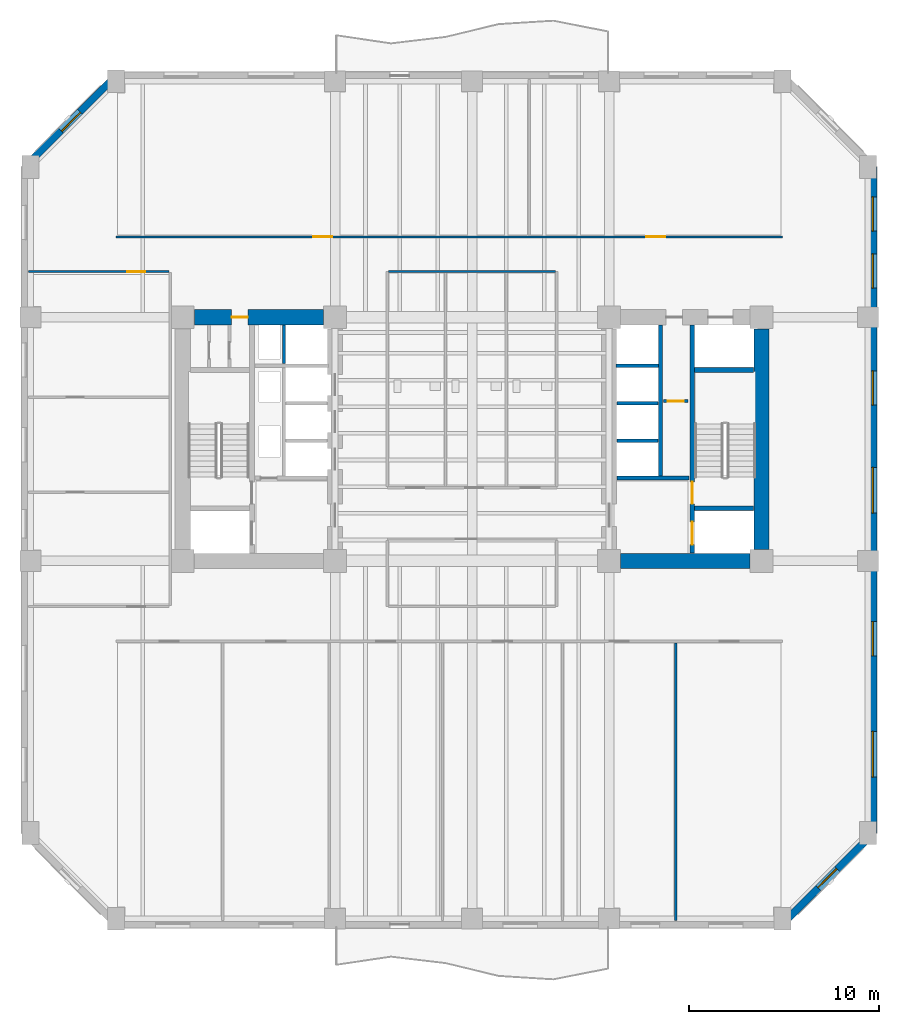
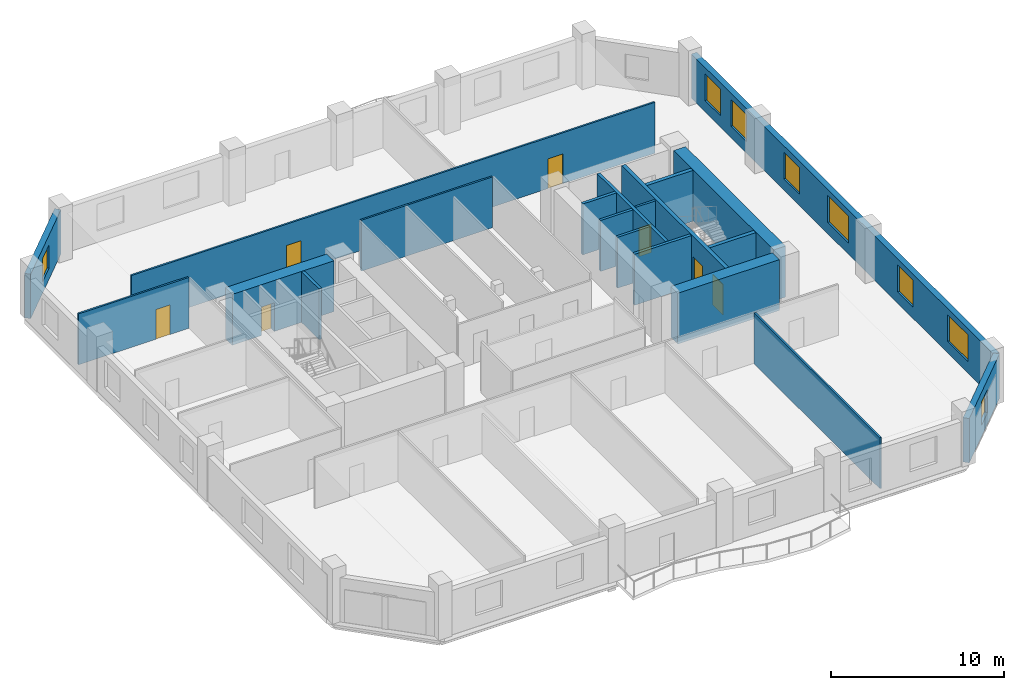
# One storey, part 4 of 10: 20 walls, 8 windows, 7 doors, 15 openings.
"""IFC4 building model written with IfcOpenShell, lengths in metres."""

from ifc_helpers import new_model, si_unit, direction, frame, frame_2d, origin, place, context, subcontext, project, spatial, rectangle, extrude, material, layer, layer_set, type_object, element, fill, save


model = new_model("IFC4")

# Units and contexts
model_context = context("Model", 3, precision=1e-05, world=origin(), true_north=direction((0.0, 1.0)))
body_context = subcontext(model_context, "Body", "Model", "MODEL_VIEW")
ifc_project = project(units=[si_unit("LENGTHUNIT", "METRE"), si_unit("AREAUNIT", "SQUARE_METRE"), si_unit("VOLUMEUNIT", "CUBIC_METRE"), si_unit("PLANEANGLEUNIT", "RADIAN"), si_unit("MASSUNIT", "GRAM", prefix="KILO")], contexts=[model_context])

# Site, building, storey
site_placement = place(None, origin())
site = spatial("IfcSite", under=ifc_project, at=site_placement, CompositionType="ELEMENT")
building_placement = place(site_placement, origin())
building = spatial("IfcBuilding", under=site, at=building_placement, Name="Kranthara Brick Stack", CompositionType="ELEMENT")
storey_placement = place(building_placement, frame((0.0, 0.0, 39.89990234375)))
storey = spatial("IfcBuildingStorey", under=building, at=storey_placement, Name="L09", CompositionType="ELEMENT", Elevation=39.89990234375)

# Wall, opening, window
ifc_material_1 = material(Name="Kiln-fired clay brick masonry M15", Category="masonry")
ifc_layer_1 = layer(ifc_material_1, 0.3798828125)
ifc_layer_set_1 = layer_set([ifc_layer_1], Name="Kiln-fired clay brick masonry M15")
wall_type_1 = type_object("IfcWallType", Name="WL-BRK-PIER-380", PredefinedType="STANDARD", material=ifc_layer_set_1)
wall_1_placement = place(storey_placement, frame((4.510009765625, 41.5, 0.0), z_axis=(0.0, 0.0, 1.0), x_axis=(0.707106781187, 0.707106781187, 0.0)))
wall_1 = element("IfcWall", 1, at=wall_1_placement, inside=storey, type_object=wall_type_1, Name="L09 Exterior Brick Facade Wall NW 1", PredefinedType="STANDARD", context=body_context, shape_type="SweptSolid", body=[
    extrude(rectangle(XDim=6.774169921875, YDim=0.3798828125, at=frame_2d((3.38720703125, 0.0))), origin(), (0.0, 0.0, 1.0), 3.135009765625),
])
opening_1_placement = place(wall_1_placement, frame((2.68701171875, 0.0, 0.800048828125)))
opening_1 = element("IfcOpeningElement", 2, at=opening_1_placement, cuts=wall_1, Name="Opening WN10", PredefinedType="OPENING", context=body_context, shape_type="SweptSolid", body=[
    extrude(rectangle(XDim=1.39990234375, YDim=1.64990234375, at=frame_2d((0.699951171875, 0.824951171875))), frame((0.0, 0.199951171875, 0.0), z_axis=(0.0, -1.0, 0.0), x_axis=(1.0, 0.0, 0.0)), (0.0, 0.0, 1.0), 0.39990234375),
])
ifc_material_2 = material(Name="Double-glazed low-E solar control glass", Category="glass")
window_type_1 = type_object("IfcWindowType", Name="WN-CHM-1400x1750", PartitioningType="SINGLE_PANEL", PredefinedType="WINDOW", material=ifc_material_2)
window_1_placement = place(opening_1_placement, origin())
window_1 = element("IfcWindow", 3, at=window_1_placement, inside=storey, type_object=window_type_1, Name="L09 NW Chamfer Corner Window", OverallHeight=1.64990234375, OverallWidth=1.39990234375, PartitioningType="SINGLE_PANEL", PredefinedType="WINDOW", context=body_context, shape_type="SweptSolid", body=[
    extrude(rectangle(XDim=1.39990234375, YDim=1.64990234375, at=frame_2d((0.699951171875, 0.824951171875))), frame((0.0, -0.010009765625, 0.0), z_axis=(0.0, -1.0, 0.0), x_axis=(1.0, 0.0, 0.0)), (0.0, 0.0, 1.0), 0.06005859375),
])
fill(opening_1, window_1)

# Wall, openings, windows
wall_2_placement = place(storey_placement, frame((49.090087890625, 41.5, 0.0), z_axis=(0.0, 0.0, 1.0), x_axis=(0.0, -1.0, 0.0)))
wall_2 = element("IfcWall", 4, at=wall_2_placement, inside=storey, type_object=wall_type_1, Name="L09 Exterior Brick Facade Wall EAST 1", PredefinedType="STANDARD", context=body_context, shape_type="SweptSolid", body=[
    extrude(rectangle(XDim=35.0, YDim=0.3798828125, at=frame_2d((17.5, 0.0))), origin(), (0.0, 0.0, 1.0), 3.135009765625),
])
opening_2_placement = place(wall_2_placement, frame((1.574951171875, 0.0, 0.800048828125)))
opening_2 = element("IfcOpeningElement", 5, at=opening_2_placement, cuts=wall_2, Name="Opening WN01", PredefinedType="OPENING", context=body_context, shape_type="SweptSolid", body=[
    extrude(rectangle(XDim=1.800048828125, YDim=1.89990234375, at=frame_2d((0.89990234375, 0.949951171875))), frame((0.0, 0.199951171875, 0.0), z_axis=(0.0, -1.0, 0.0), x_axis=(1.0, 0.0, 0.0)), (0.0, 0.0, 1.0), 0.39990234375),
])
opening_3_placement = place(wall_2_placement, frame((4.574951171875, 0.0, 0.800048828125)))
opening_3 = element("IfcOpeningElement", 6, at=opening_3_placement, cuts=wall_2, Name="Opening WN01", PredefinedType="OPENING", context=body_context, shape_type="SweptSolid", body=[
    extrude(rectangle(XDim=1.800048828125, YDim=1.89990234375, at=frame_2d((0.89990234375, 0.949951171875))), frame((0.0, 0.199951171875, 0.0), z_axis=(0.0, -1.0, 0.0), x_axis=(1.0, 0.0, 0.0)), (0.0, 0.0, 1.0), 0.39990234375),
])
opening_4_placement = place(wall_2_placement, frame((10.7119140625, 0.0, 0.800048828125)))
opening_4 = element("IfcOpeningElement", 7, at=opening_4_placement, cuts=wall_2, Name="Opening WN01", PredefinedType="OPENING", context=body_context, shape_type="SweptSolid", body=[
    extrude(rectangle(XDim=1.800048828125, YDim=1.89990234375, at=frame_2d((0.89990234375, 0.949951171875))), frame((0.0, 0.199951171875, 0.0), z_axis=(0.0, -1.0, 0.0), x_axis=(1.0, 0.0, 0.0)), (0.0, 0.0, 1.0), 0.39990234375),
])
opening_5_placement = place(wall_2_placement, frame((15.7880859375, 0.0, 0.800048828125)))
opening_5 = element("IfcOpeningElement", 8, at=opening_5_placement, cuts=wall_2, Name="Opening WN02", PredefinedType="OPENING", context=body_context, shape_type="SweptSolid", body=[
    extrude(rectangle(XDim=2.39990234375, YDim=1.89990234375, at=frame_2d((1.199951171875, 0.949951171875))), frame((0.0, 0.199951171875, 0.0), z_axis=(0.0, -1.0, 0.0), x_axis=(1.0, 0.0, 0.0)), (0.0, 0.0, 1.0), 0.39990234375),
])
opening_6_placement = place(wall_2_placement, frame((23.888916015625, 0.0, 0.800048828125)))
opening_6 = element("IfcOpeningElement", 9, at=opening_6_placement, cuts=wall_2, Name="Opening WN01", PredefinedType="OPENING", context=body_context, shape_type="SweptSolid", body=[
    extrude(rectangle(XDim=1.800048828125, YDim=1.89990234375, at=frame_2d((0.89990234375, 0.949951171875))), frame((0.0, 0.199951171875, 0.0), z_axis=(0.0, -1.0, 0.0), x_axis=(1.0, 0.0, 0.0)), (0.0, 0.0, 1.0), 0.39990234375),
])
opening_7_placement = place(wall_2_placement, frame((29.660888671875, 0.0, 0.800048828125)))
opening_7 = element("IfcOpeningElement", 10, at=opening_7_placement, cuts=wall_2, Name="Opening WN02", PredefinedType="OPENING", context=body_context, shape_type="SweptSolid", body=[
    extrude(rectangle(XDim=2.39990234375, YDim=1.89990234375, at=frame_2d((1.199951171875, 0.949951171875))), frame((0.0, 0.199951171875, 0.0), z_axis=(0.0, -1.0, 0.0), x_axis=(1.0, 0.0, 0.0)), (0.0, 0.0, 1.0), 0.39990234375),
])
ifc_material_3 = material(Name="Double-glazed low-E solar control glass", Category="glass")
window_type_2 = type_object("IfcWindowType", Name="WN-OFF-1800x2000", PartitioningType="SINGLE_PANEL", PredefinedType="WINDOW", material=ifc_material_3)
window_2_placement = place(opening_2_placement, origin())
window_2 = element("IfcWindow", 11, at=window_2_placement, inside=storey, type_object=window_type_2, Name="L09 East Deep-Set Brick Window 01", OverallHeight=1.89990234375, OverallWidth=1.800048828125, PartitioningType="SINGLE_PANEL", PredefinedType="WINDOW", context=body_context, shape_type="SweptSolid", body=[
    extrude(rectangle(XDim=1.800048828125, YDim=1.89990234375, at=frame_2d((0.89990234375, 0.949951171875))), frame((0.0, -0.010009765625, 0.0), z_axis=(0.0, -1.0, 0.0), x_axis=(1.0, 0.0, 0.0)), (0.0, 0.0, 1.0), 0.06005859375),
])
fill(opening_2, window_2)
window_3_placement = place(opening_3_placement, origin())
window_3 = element("IfcWindow", 12, at=window_3_placement, inside=storey, type_object=window_type_2, Name="L09 East Deep-Set Brick Window 02", OverallHeight=1.89990234375, OverallWidth=1.800048828125, PartitioningType="SINGLE_PANEL", PredefinedType="WINDOW", context=body_context, shape_type="SweptSolid", body=[
    extrude(rectangle(XDim=1.800048828125, YDim=1.89990234375, at=frame_2d((0.89990234375, 0.949951171875))), frame((0.0, -0.010009765625, 0.0), z_axis=(0.0, -1.0, 0.0), x_axis=(1.0, 0.0, 0.0)), (0.0, 0.0, 1.0), 0.06005859375),
])
fill(opening_3, window_3)
window_4_placement = place(opening_4_placement, origin())
window_4 = element("IfcWindow", 13, at=window_4_placement, inside=storey, type_object=window_type_2, Name="L09 East Deep-Set Brick Window 03", OverallHeight=1.89990234375, OverallWidth=1.800048828125, PartitioningType="SINGLE_PANEL", PredefinedType="WINDOW", context=body_context, shape_type="SweptSolid", body=[
    extrude(rectangle(XDim=1.800048828125, YDim=1.89990234375, at=frame_2d((0.89990234375, 0.949951171875))), frame((0.0, -0.010009765625, 0.0), z_axis=(0.0, -1.0, 0.0), x_axis=(1.0, 0.0, 0.0)), (0.0, 0.0, 1.0), 0.06005859375),
])
fill(opening_4, window_4)
window_5_placement = place(opening_6_placement, origin())
window_5 = element("IfcWindow", 14, at=window_5_placement, inside=storey, type_object=window_type_2, Name="L09 East Deep-Set Brick Window 05", OverallHeight=1.89990234375, OverallWidth=1.800048828125, PartitioningType="SINGLE_PANEL", PredefinedType="WINDOW", context=body_context, shape_type="SweptSolid", body=[
    extrude(rectangle(XDim=1.800048828125, YDim=1.89990234375, at=frame_2d((0.89990234375, 0.949951171875))), frame((0.0, -0.010009765625, 0.0), z_axis=(0.0, -1.0, 0.0), x_axis=(1.0, 0.0, 0.0)), (0.0, 0.0, 1.0), 0.06005859375),
])
fill(opening_6, window_5)
ifc_material_4 = material(Name="Double-glazed low-E solar control glass", Category="glass")
window_type_3 = type_object("IfcWindowType", Name="WN-OFF-2400x2000", PartitioningType="DOUBLE_PANEL_VERTICAL", PredefinedType="WINDOW", material=ifc_material_4)
window_6_placement = place(opening_5_placement, origin())
window_6 = element("IfcWindow", 15, at=window_6_placement, inside=storey, type_object=window_type_3, Name="L09 East Deep-Set Brick Window 04", OverallHeight=1.89990234375, OverallWidth=2.39990234375, PartitioningType="SINGLE_PANEL", PredefinedType="WINDOW", context=body_context, shape_type="SweptSolid", body=[
    extrude(rectangle(XDim=2.39990234375, YDim=1.89990234375, at=frame_2d((1.199951171875, 0.949951171875))), frame((0.0, -0.010009765625, 0.0), z_axis=(0.0, -1.0, 0.0), x_axis=(1.0, 0.0, 0.0)), (0.0, 0.0, 1.0), 0.06005859375),
])
fill(opening_5, window_6)
window_7_placement = place(opening_7_placement, origin())
window_7 = element("IfcWindow", 16, at=window_7_placement, inside=storey, type_object=window_type_3, Name="L09 East Deep-Set Brick Window 06", OverallHeight=1.89990234375, OverallWidth=2.39990234375, PartitioningType="SINGLE_PANEL", PredefinedType="WINDOW", context=body_context, shape_type="SweptSolid", body=[
    extrude(rectangle(XDim=2.39990234375, YDim=1.89990234375, at=frame_2d((1.199951171875, 0.949951171875))), frame((0.0, -0.010009765625, 0.0), z_axis=(0.0, -1.0, 0.0), x_axis=(1.0, 0.0, 0.0)), (0.0, 0.0, 1.0), 0.06005859375),
])
fill(opening_7, window_7)

# Wall, opening, window
wall_3_placement = place(storey_placement, frame((49.090087890625, 6.5, 0.0), z_axis=(0.0, 0.0, 1.0), x_axis=(-0.707106781187, -0.707106781187, 0.0)))
wall_3 = element("IfcWall", 17, at=wall_3_placement, inside=storey, type_object=wall_type_1, Name="L09 Exterior Brick Facade Wall SE 1", PredefinedType="STANDARD", context=body_context, shape_type="SweptSolid", body=[
    extrude(rectangle(XDim=6.774169921875, YDim=0.3798828125, at=frame_2d((3.38720703125, 0.0))), origin(), (0.0, 0.0, 1.0), 3.135009765625),
])
opening_8_placement = place(wall_3_placement, frame((2.68701171875, 0.0, 0.800048828125)))
opening_8 = element("IfcOpeningElement", 18, at=opening_8_placement, cuts=wall_3, Name="Opening WN10", PredefinedType="OPENING", context=body_context, shape_type="SweptSolid", body=[
    extrude(rectangle(XDim=1.39990234375, YDim=1.64990234375, at=frame_2d((0.699951171875, 0.824951171875))), frame((0.0, 0.199951171875, 0.0), z_axis=(0.0, -1.0, 0.0), x_axis=(1.0, 0.0, 0.0)), (0.0, 0.0, 1.0), 0.39990234375),
])
window_8_placement = place(opening_8_placement, origin())
window_8 = element("IfcWindow", 19, at=window_8_placement, inside=storey, type_object=window_type_1, Name="L09 SE Chamfer Corner Window", OverallHeight=1.64990234375, OverallWidth=1.39990234375, PartitioningType="SINGLE_PANEL", PredefinedType="WINDOW", context=body_context, shape_type="SweptSolid", body=[
    extrude(rectangle(XDim=1.39990234375, YDim=1.64990234375, at=frame_2d((0.699951171875, 0.824951171875))), frame((0.0, -0.010009765625, 0.0), z_axis=(0.0, -1.0, 0.0), x_axis=(1.0, 0.0, 0.0)), (0.0, 0.0, 1.0), 0.06005859375),
])
fill(opening_8, window_8)

# Wall, openings, doors
ifc_material_5 = material(Name="Concrete C50/60", Category="concrete")
ifc_layer_2 = layer(ifc_material_5, 0.25)
ifc_layer_set_2 = layer_set([ifc_layer_2], Name="Concrete C50/60")
wall_type_2 = type_object("IfcWallType", Name="WL-CORE-250", PredefinedType="SHEAR", material=ifc_layer_set_2)
wall_4_placement = place(storey_placement, frame((39.56494140625, 21.2099609375, 0.0), z_axis=(0.0, 0.0, 1.0), x_axis=(0.0, 1.0, 0.0)))
wall_4 = element("IfcWall", 20, at=wall_4_placement, inside=storey, type_object=wall_type_2, Name="L09 East Core Stair Bearing Spine Wall", PredefinedType="SHEAR", context=body_context, shape_type="SweptSolid", body=[
    extrude(rectangle(XDim=11.97998046875, YDim=0.25, at=frame_2d((5.989990234375, 0.0))), origin(), (0.0, 0.0, 1.0), 3.60009765625),
])
opening_9_placement = place(wall_4_placement, frame((0.43994140625, 0.0, 0.0)))
opening_9 = element("IfcOpeningElement", 21, at=opening_9_placement, cuts=wall_4, Name="Opening LD01", PredefinedType="OPENING", context=body_context, shape_type="SweptSolid", body=[
    extrude(rectangle(XDim=1.199951171875, YDim=2.14990234375, at=frame_2d((0.60009765625, 1.074951171875))), frame((0.0, 0.135009765625, 0.0), z_axis=(0.0, -1.0, 0.0), x_axis=(1.0, 0.0, 0.0)), (0.0, 0.0, 1.0), 0.27001953125),
])
opening_10_placement = place(wall_4_placement, frame((2.590087890625, 0.0, 0.0)))
opening_10 = element("IfcOpeningElement", 22, at=opening_10_placement, cuts=wall_4, Name="Opening D05", PredefinedType="OPENING", context=body_context, shape_type="SweptSolid", body=[
    extrude(rectangle(XDim=1.14990234375, YDim=2.14990234375, at=frame_2d((0.574951171875, 1.074951171875))), frame((0.0, 0.135009765625, 0.0), z_axis=(0.0, -1.0, 0.0), x_axis=(1.0, 0.0, 0.0)), (0.0, 0.0, 1.0), 0.27001953125),
])
ifc_material_6 = material(Name="Stainless steel sliding landing door", Category="steel")
door_type_1 = type_object("IfcDoorType", Name="DR-LD-FF1200", OperationType="DOUBLE_DOOR_SLIDING", PredefinedType="DOOR", material=ifc_material_6)
door_1_placement = place(opening_9_placement, origin())
door_1 = element("IfcDoor", 23, at=door_1_placement, inside=storey, type_object=door_type_1, Name="L09 Firefighting Lift FF-02 Landing Door", OperationType="DOUBLE_DOOR_SLIDING", OverallHeight=2.14990234375, OverallWidth=1.199951171875, PredefinedType="DOOR", context=body_context, shape_type="SweptSolid", body=[
    extrude(rectangle(XDim=1.199951171875, YDim=2.14990234375, at=frame_2d((0.60009765625, 1.074951171875))), frame((0.0, 0.02490234375, 0.0), z_axis=(0.0, -1.0, 0.0), x_axis=(1.0, 0.0, 0.0)), (0.0, 0.0, 1.0), 0.050048828125),
])
fill(opening_9, door_1)
ifc_material_7 = material(Name="Solid-core hardwood timber leaf in steel frame", Category="steel")
door_type_2 = type_object("IfcDoorType", Name="DR-ST-1150", OperationType="NOTDEFINED", PredefinedType="DOOR", material=ifc_material_7)
door_2_placement = place(opening_10_placement, origin())
door_2 = element("IfcDoor", 24, at=door_2_placement, inside=storey, type_object=door_type_2, Name="L09 Exit Stair ST02 Door", OperationType="SINGLE_SWING_LEFT", OverallHeight=2.14990234375, OverallWidth=1.14990234375, PredefinedType="DOOR", context=body_context, shape_type="SweptSolid", body=[
    extrude(rectangle(XDim=1.14990234375, YDim=2.14990234375, at=frame_2d((0.574951171875, 1.074951171875))), frame((0.0, 0.02490234375, 0.0), z_axis=(0.0, -1.0, 0.0), x_axis=(1.0, 0.0, 0.0)), (0.0, 0.0, 1.0), 0.050048828125),
])
fill(opening_10, door_2)

# Walls
for number, where, z_axis, x_axis, name in (
    (25, (39.68994140625, 23.570068359375, 0.0), (0.0, 0.0, 1.0), (1.0, 0.0, 0.0), "L09 East Stairwell Bearing Wall EFF"),
    (26, (39.68994140625, 30.830078125, 0.0), (0.0, 0.0, 1.0), (1.0, 0.0, 0.0), "L09 East Stairwell Bearing Wall EST"),
):
    element("IfcWall", number, at=place(storey_placement, frame(where, z_axis=z_axis, x_axis=x_axis)), inside=storey, type_object=wall_type_2, Name=name, PredefinedType="SHEAR", context=body_context, shape_type="SweptSolid", body=[
        extrude(rectangle(XDim=3.10009765625, YDim=0.25, at=frame_2d((1.550048828125, 0.0))), origin(), (0.0, 0.0, 1.0), 3.60009765625),
    ])

# Wall, opening, door
ifc_material_8 = material(Name="Concrete C70/85", Category="concrete")
ifc_layer_3 = layer(ifc_material_8, 0.800048828125)
ifc_layer_set_3 = layer_set([ifc_layer_3], Name="Concrete C70/85")
wall_type_3 = type_object("IfcWallType", Name="WL-CORE-800", PredefinedType="SHEAR", material=ifc_layer_set_3)
wall_5_placement = place(storey_placement, frame((13.405029296875, 33.60009765625, 0.0), z_axis=(0.0, 0.0, 1.0), x_axis=(1.0, 0.0, 0.0)))
wall_5 = element("IfcWall", 27, at=wall_5_placement, inside=storey, type_object=wall_type_3, Name="L09 West Core Shear Wall North", PredefinedType="SHEAR", context=body_context, shape_type="SweptSolid", body=[
    extrude(rectangle(XDim=6.7900390625, YDim=0.800048828125, at=frame_2d((3.39501953125, 0.0))), origin(), (0.0, 0.0, 1.0), 3.60009765625),
])
opening_11_placement = place(wall_5_placement, frame((1.965087890625, 0.0, 0.0)))
opening_11 = element("IfcOpeningElement", 28, at=opening_11_placement, cuts=wall_5, Name="Opening D10", PredefinedType="OPENING", context=body_context, shape_type="SweptSolid", body=[
    extrude(rectangle(XDim=0.85009765625, YDim=2.02001953125, at=frame_2d((0.425048828125, 1.010009765625))), frame((0.0, 0.409912109375, 0.0), z_axis=(0.0, -1.0, 0.0), x_axis=(1.0, 0.0, 0.0)), (0.0, 0.0, 1.0), 0.820068359375),
])
ifc_material_9 = material(Name="Solid-core hardwood timber leaf in steel frame", Category="steel")
door_type_3 = type_object("IfcDoorType", Name="DR-RSR-850", OperationType="NOTDEFINED", PredefinedType="DOOR", material=ifc_material_9)
door_3_placement = place(opening_11_placement, origin())
door_3 = element("IfcDoor", 29, at=door_3_placement, inside=storey, type_object=door_type_3, Name="L09 West Core Service Door 1", OperationType="SINGLE_SWING_RIGHT", OverallHeight=2.02001953125, OverallWidth=0.85009765625, PredefinedType="DOOR", context=body_context, shape_type="SweptSolid", body=[
    extrude(rectangle(XDim=0.85009765625, YDim=2.02001953125, at=frame_2d((0.425048828125, 1.010009765625))), frame((0.0, 0.02490234375, 0.0), z_axis=(0.0, -1.0, 0.0), x_axis=(1.0, 0.0, 0.0)), (0.0, 0.0, 1.0), 0.050048828125),
])
fill(opening_11, door_3)

# Walls
wall_6_placement = place(storey_placement, frame((43.199951171875, 21.405029296875, 0.0), z_axis=(0.0, 0.0, 1.0), x_axis=(0.0, 1.0, 0.0)))
element("IfcWall", 30, at=wall_6_placement, inside=storey, type_object=wall_type_3, Name="L09 East Core Shear Wall East", PredefinedType="SHEAR", context=body_context, shape_type="SweptSolid", body=[
    extrude(rectangle(XDim=11.590087890625, YDim=0.800048828125, at=frame_2d((5.794921875, 0.0))), origin(), (0.0, 0.0, 1.0), 3.60009765625),
])
wall_7_placement = place(storey_placement, frame((35.804931640625, 20.800048828125, 0.0), z_axis=(0.0, 0.0, 1.0), x_axis=(1.0, 0.0, 0.0)))
element("IfcWall", 31, at=wall_7_placement, inside=storey, type_object=wall_type_3, Name="L09 East Core Shear Wall South", PredefinedType="SHEAR", context=body_context, shape_type="SweptSolid", body=[
    extrude(rectangle(XDim=6.7900390625, YDim=0.800048828125, at=frame_2d((3.39501953125, 0.0))), origin(), (0.0, 0.0, 1.0), 3.60009765625),
])
ifc_material_10 = material(Name="Acoustic gypsum plasterboard partition", Category="other")
ifc_layer_4 = layer(ifc_material_10, 0.1201171875)
ifc_layer_set_4 = layer_set([ifc_layer_4], Name="Acoustic gypsum plasterboard partition")
wall_type_4 = type_object("IfcWallType", Name="WL-PART-120", PredefinedType="PARTITIONING", material=ifc_layer_set_4)
wall_8_placement = place(storey_placement, frame((23.614990234375, 36.0, 0.0), z_axis=(0.0, 0.0, 1.0), x_axis=(1.0, 0.0, 0.0)))
element("IfcWall", 32, at=wall_8_placement, inside=storey, type_object=wall_type_4, Name="L09 Interior Partition 009", PredefinedType="PARTITIONING", context=body_context, shape_type="SweptSolid", body=[
    extrude(rectangle(XDim=8.77001953125, YDim=0.1201171875, at=frame_2d((4.385009765625, 0.0))), origin(), (0.0, 0.0, 1.0), 3.60009765625),
])
wall_9_placement = place(storey_placement, frame((38.699951171875, 1.905029296875, 0.0), z_axis=(0.0, 0.0, 1.0), x_axis=(0.0, 1.0, 0.0)))
element("IfcWall", 33, at=wall_9_placement, inside=storey, type_object=wall_type_4, Name="L09 Interior Partition 019", PredefinedType="PARTITIONING", context=body_context, shape_type="SweptSolid", body=[
    extrude(rectangle(XDim=14.574951171875, YDim=0.1201171875, at=frame_2d((7.28759765625, 0.0))), origin(), (0.0, 0.0, 1.0), 3.60009765625),
])

# Wall, openings, doors
wall_10_placement = place(storey_placement, frame((9.300048828125, 37.820068359375, 0.0), z_axis=(0.0, 0.0, 1.0), x_axis=(1.0, 0.0, 0.0)))
wall_10 = element("IfcWall", 34, at=wall_10_placement, inside=storey, type_object=wall_type_4, Name="L09 Interior Partition 020", PredefinedType="PARTITIONING", context=body_context, shape_type="SweptSolid", body=[
    extrude(rectangle(XDim=35.0, YDim=0.1201171875, at=frame_2d((17.5, 0.0))), origin(), (0.0, 0.0, 1.0), 3.60009765625),
])
opening_12_placement = place(wall_10_placement, frame((10.35009765625, 0.0, 0.0)))
opening_12 = element("IfcOpeningElement", 35, at=opening_12_placement, cuts=wall_10, Name="Opening D13", PredefinedType="OPENING", context=body_context, shape_type="SweptSolid", body=[
    extrude(rectangle(XDim=1.0, YDim=2.10009765625, at=frame_2d((0.5, 1.050048828125))), frame((0.0, 0.070068359375, 0.0), z_axis=(0.0, -1.0, 0.0), x_axis=(1.0, 0.0, 0.0)), (0.0, 0.0, 1.0), 0.14013671875),
])
opening_13_placement = place(wall_10_placement, frame((27.85009765625, 0.0, 0.0)))
opening_13 = element("IfcOpeningElement", 36, at=opening_13_placement, cuts=wall_10, Name="Opening D13", PredefinedType="OPENING", context=body_context, shape_type="SweptSolid", body=[
    extrude(rectangle(XDim=1.0, YDim=2.10009765625, at=frame_2d((0.5, 1.050048828125))), frame((0.0, 0.070068359375, 0.0), z_axis=(0.0, -1.0, 0.0), x_axis=(1.0, 0.0, 0.0)), (0.0, 0.0, 1.0), 0.14013671875),
])
ifc_material_11 = material(Name="Solid-core hardwood timber leaf in steel frame", Category="steel")
door_type_4 = type_object("IfcDoorType", Name="DR-INT-1000", OperationType="NOTDEFINED", PredefinedType="DOOR", material=ifc_material_11)
door_4_placement = place(opening_12_placement, origin())
door_4 = element("IfcDoor", 37, at=door_4_placement, inside=storey, type_object=door_type_4, Name="L09 Open Plan Workspace 14", OperationType="SINGLE_SWING_RIGHT", OverallHeight=2.10009765625, OverallWidth=1.0, PredefinedType="DOOR", context=body_context, shape_type="SweptSolid", body=[
    extrude(rectangle(XDim=1.0, YDim=2.10009765625, at=frame_2d((0.5, 1.050048828125))), frame((0.0, 0.02490234375, 0.0), z_axis=(0.0, -1.0, 0.0), x_axis=(1.0, 0.0, 0.0)), (0.0, 0.0, 1.0), 0.050048828125),
])
fill(opening_12, door_4)
door_5_placement = place(opening_13_placement, origin())
door_5 = element("IfcDoor", 38, at=door_5_placement, inside=storey, type_object=door_type_4, Name="L09 Staff Pantry 15", OperationType="SINGLE_SWING_LEFT", OverallHeight=2.10009765625, OverallWidth=1.0, PredefinedType="DOOR", context=body_context, shape_type="SweptSolid", body=[
    extrude(rectangle(XDim=1.0, YDim=2.10009765625, at=frame_2d((0.5, 1.050048828125))), frame((0.0, 0.02490234375, 0.0), z_axis=(0.0, -1.0, 0.0), x_axis=(1.0, 0.0, 0.0)), (0.0, 0.0, 1.0), 0.050048828125),
])
fill(opening_13, door_5)

# Wall, opening, door
wall_11_placement = place(storey_placement, frame((4.705078125, 36.0, 0.0), z_axis=(0.0, 0.0, 1.0), x_axis=(1.0, 0.0, 0.0)))
wall_11 = element("IfcWall", 39, at=wall_11_placement, inside=storey, type_object=wall_type_4, Name="L09 Interior Partition 024", PredefinedType="PARTITIONING", context=body_context, shape_type="SweptSolid", body=[
    extrude(rectangle(XDim=7.3798828125, YDim=0.1201171875, at=frame_2d((3.68994140625, 0.0))), origin(), (0.0, 0.0, 1.0), 3.60009765625),
])
opening_14_placement = place(wall_11_placement, frame((5.179931640625, 0.0, 0.0)))
opening_14 = element("IfcOpeningElement", 40, at=opening_14_placement, cuts=wall_11, Name="Opening D14", PredefinedType="OPENING", context=body_context, shape_type="SweptSolid", body=[
    extrude(rectangle(XDim=0.949951171875, YDim=2.10009765625, at=frame_2d((0.47509765625, 1.050048828125))), frame((0.0, 0.070068359375, 0.0), z_axis=(0.0, -1.0, 0.0), x_axis=(1.0, 0.0, 0.0)), (0.0, 0.0, 1.0), 0.14013671875),
])
ifc_material_12 = material(Name="Solid-core hardwood timber leaf in steel frame", Category="steel")
door_type_5 = type_object("IfcDoorType", Name="DR-INT-950", OperationType="NOTDEFINED", PredefinedType="DOOR", material=ifc_material_12)
door_6_placement = place(opening_14_placement, origin())
door_6 = element("IfcDoor", 41, at=door_6_placement, inside=storey, type_object=door_type_5, Name="L09 West North Office 19", OperationType="SINGLE_SWING_LEFT", OverallHeight=2.10009765625, OverallWidth=0.949951171875, PredefinedType="DOOR", context=body_context, shape_type="SweptSolid", body=[
    extrude(rectangle(XDim=0.949951171875, YDim=2.10009765625, at=frame_2d((0.47509765625, 1.050048828125))), frame((0.0, 0.02490234375, 0.0), z_axis=(0.0, -1.0, 0.0), x_axis=(1.0, 0.0, 0.0)), (0.0, 0.0, 1.0), 0.050048828125),
])
fill(opening_14, door_6)

ifc_material_13 = material(Name="Fire-rated gypsum board partition", Category="other")
ifc_layer_5 = layer(ifc_material_13, 0.14990234375)
ifc_layer_set_5 = layer_set([ifc_layer_5], Name="Fire-rated gypsum board partition")
wall_type_5 = type_object("IfcWallType", Name="WL-PART-150", PredefinedType="PARTITIONING", material=ifc_layer_set_5)
wall_12_placement = place(storey_placement, frame((38.050048828125, 29.199951171875, 0.0), z_axis=(0.0, 0.0, 1.0), x_axis=(1.0, 0.0, 0.0)))
wall_12 = element("IfcWall", 42, at=wall_12_placement, inside=storey, type_object=wall_type_5, Name="L09 Interior Partition 003", PredefinedType="PARTITIONING", context=body_context, shape_type="SweptSolid", body=[
    extrude(rectangle(XDim=1.300048828125, YDim=0.14990234375, at=frame_2d((0.64990234375, 0.0))), origin(), (0.0, 0.0, 1.0), 3.60009765625),
])
opening_15_placement = place(wall_12_placement, frame((0.219970703125, 0.0, 0.0)))
opening_15 = element("IfcOpeningElement", 43, at=opening_15_placement, cuts=wall_12, Name="Opening D10", PredefinedType="OPENING", context=body_context, shape_type="SweptSolid", body=[
    extrude(rectangle(XDim=0.85009765625, YDim=2.02001953125, at=frame_2d((0.425048828125, 1.010009765625))), frame((0.0, 0.0849609375, 0.0), z_axis=(0.0, -1.0, 0.0), x_axis=(1.0, 0.0, 0.0)), (0.0, 0.0, 1.0), 0.169921875),
])
door_7_placement = place(opening_15_placement, origin())
door_7 = element("IfcDoor", 44, at=door_7_placement, inside=storey, type_object=door_type_3, Name="L09 East Service Door 03", OperationType="SINGLE_SWING_LEFT", OverallHeight=2.02001953125, OverallWidth=0.85009765625, PredefinedType="DOOR", context=body_context, shape_type="SweptSolid", body=[
    extrude(rectangle(XDim=0.85009765625, YDim=2.02001953125, at=frame_2d((0.425048828125, 1.010009765625))), frame((0.0, 0.02490234375, 0.0), z_axis=(0.0, -1.0, 0.0), x_axis=(1.0, 0.0, 0.0)), (0.0, 0.0, 1.0), 0.050048828125),
])
fill(opening_15, door_7)

# Walls
ifc_material_14 = material(Name="Gypsum plasterboard on acoustic twin stud", Category="other")
ifc_layer_6 = layer(ifc_material_14, 0.179931640625)
ifc_layer_set_6 = layer_set([ifc_layer_6], Name="Gypsum plasterboard on acoustic twin stud")
wall_type_6 = type_object("IfcWallType", Name="WL-PART-180", PredefinedType="PARTITIONING", material=ifc_layer_set_6)
wall_13_placement = place(storey_placement, frame((18.1201171875, 31.169921875, 0.0), z_axis=(0.0, 0.0, 1.0), x_axis=(0.0, 1.0, 0.0)))
element("IfcWall", 45, at=wall_13_placement, inside=storey, type_object=wall_type_6, Name="L09 West Hoistway Wall WBK7", PredefinedType="PARTITIONING", context=body_context, shape_type="SweptSolid", body=[
    extrude(rectangle(XDim=2.02001953125, YDim=0.179931640625, at=frame_2d((1.010009765625, 0.0))), origin(), (0.0, 0.0, 1.0), 3.60009765625),
])
for number, where, z_axis, x_axis, name in (
    (46, (35.610107421875, 27.1201171875, 0.0), (0.0, 0.0, 1.0), (1.0, 0.0, 0.0), "L09 East Hoistway Wall EH1"),
    (47, (35.610107421875, 29.080078125, 0.0), (0.0, 0.0, 1.0), (1.0, 0.0, 0.0), "L09 East Hoistway Wall EH2"),
):
    element("IfcWall", number, at=place(storey_placement, frame(where, z_axis=z_axis, x_axis=x_axis)), inside=storey, type_object=wall_type_6, Name=name, PredefinedType="PARTITIONING", context=body_context, shape_type="SweptSolid", body=[
        extrude(rectangle(XDim=2.169921875, YDim=0.179931640625, at=frame_2d((1.0849609375, 0.0))), origin(), (0.0, 0.0, 1.0), 3.60009765625),
    ])
ifc_material_15 = material(Name="Concrete C40/50", Category="concrete")
ifc_layer_7 = layer(ifc_material_15, 0.199951171875)
ifc_layer_set_7 = layer_set([ifc_layer_7], Name="Concrete C40/50")
wall_type_7 = type_object("IfcWallType", Name="WL-PART-200", PredefinedType="SOLIDWALL", material=ifc_layer_set_7)
wall_14_placement = place(storey_placement, frame((35.610107421875, 25.14990234375, 0.0), z_axis=(0.0, 0.0, 1.0), x_axis=(1.0, 0.0, 0.0)))
element("IfcWall", 48, at=wall_14_placement, inside=storey, type_object=wall_type_7, Name="L09 East Core Cross Wall EFL", PredefinedType="SOLIDWALL", context=body_context, shape_type="SweptSolid", body=[
    extrude(rectangle(XDim=3.789794921875, YDim=0.199951171875, at=frame_2d((1.89501953125, 0.0))), origin(), (0.0, 0.0, 1.0), 3.60009765625),
])
wall_15_placement = place(storey_placement, frame((35.550048828125, 31.050048828125, 0.0), z_axis=(0.0, 0.0, 1.0), x_axis=(1.0, 0.0, 0.0)))
element("IfcWall", 49, at=wall_15_placement, inside=storey, type_object=wall_type_7, Name="L09 East Core Cross Wall EE4", PredefinedType="SOLIDWALL", context=body_context, shape_type="SweptSolid", body=[
    extrude(rectangle(XDim=2.25, YDim=0.199951171875, at=frame_2d((1.125, 0.0))), origin(), (0.0, 0.0, 1.0), 3.60009765625),
])
wall_16_placement = place(storey_placement, frame((37.89990234375, 25.27001953125, 0.0), z_axis=(0.0, 0.0, 1.0), x_axis=(0.0, 1.0, 0.0)))
element("IfcWall", 50, at=wall_16_placement, inside=storey, type_object=wall_type_7, Name="L09 East Core Cross Wall ESV", PredefinedType="SOLIDWALL", context=body_context, shape_type="SweptSolid", body=[
    extrude(rectangle(XDim=7.919921875, YDim=0.199951171875, at=frame_2d((3.9599609375, 0.0))), origin(), (0.0, 0.0, 1.0), 3.60009765625),
])

save(model, "model.ifc")
